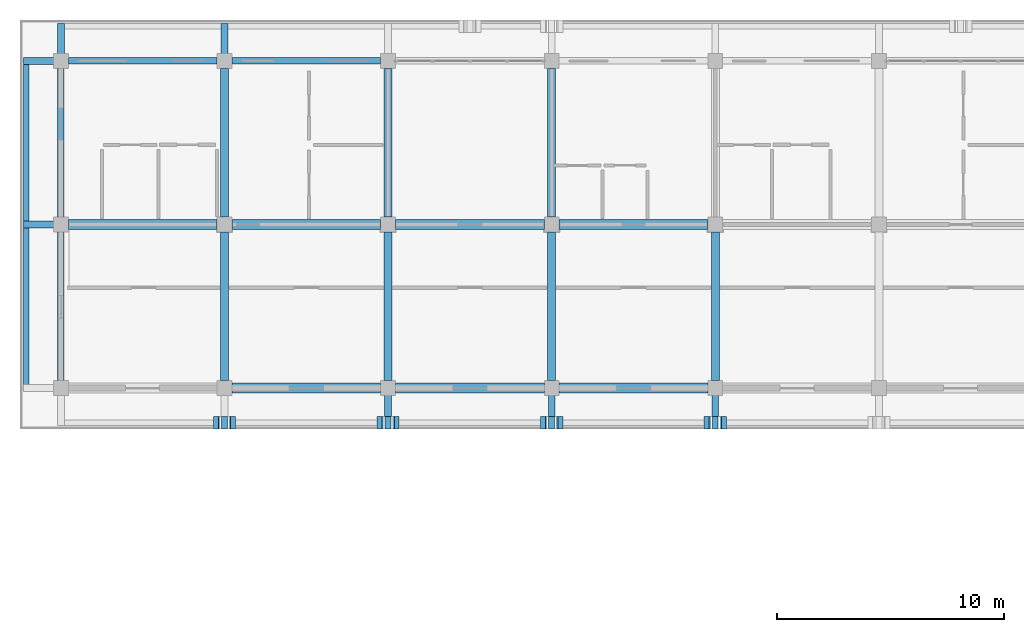
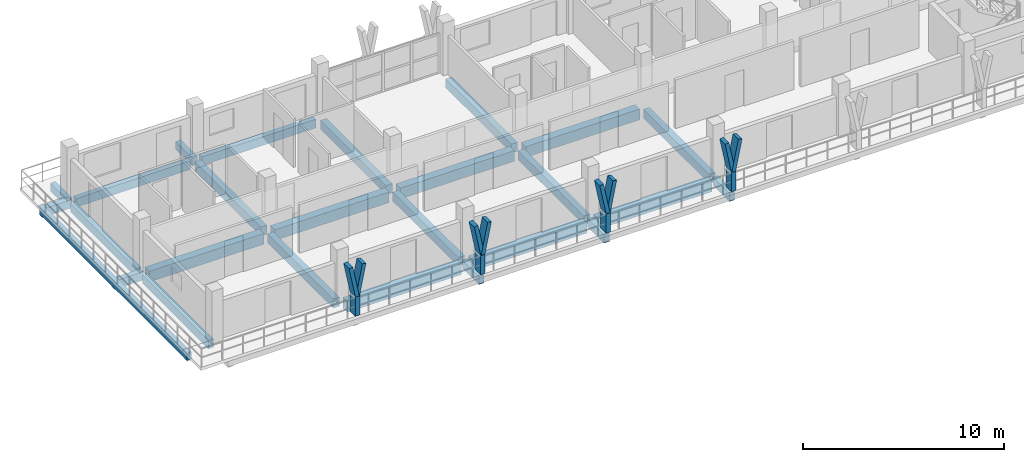
# One storey, part 11 of 78: 26 beams, 12 members.
"""IFC4 building model written with IfcOpenShell, lengths in metres."""

from ifc_helpers import new_model, si_unit, direction, frame, origin, origin_2d, place, context, subcontext, project, spatial, rectangle, extrude, material, material_profile, profile_set, type_object, element, save


model = new_model("IFC4")

# Units and contexts
model_context = context("Model", 3, precision=1e-05, world=origin(), true_north=direction((0.0, 1.0)))
body_context = subcontext(model_context, "Body", "Model", "MODEL_VIEW")
ifc_project = project(units=[si_unit("LENGTHUNIT", "METRE"), si_unit("AREAUNIT", "SQUARE_METRE"), si_unit("VOLUMEUNIT", "CUBIC_METRE"), si_unit("PLANEANGLEUNIT", "RADIAN"), si_unit("MASSUNIT", "GRAM", prefix="KILO")], contexts=[model_context])

# Site, building, storey
site_placement = place(None, origin())
site = spatial("IfcSite", under=ifc_project, at=site_placement, CompositionType="ELEMENT")
building_placement = place(site_placement, origin())
building = spatial("IfcBuilding", under=site, at=building_placement, Name="Suanplinth Sawtooth Commons", CompositionType="ELEMENT")
storey_placement = place(building_placement, frame((0.0, 0.0, 15.39990234375)))
storey = spatial("IfcBuildingStorey", under=building, at=storey_placement, Name="L04", CompositionType="ELEMENT", Elevation=15.39990234375)

# Beams
ifc_material_1 = material(Name="Precast concrete C40/50", Category="concrete")
ifc_material_profile_1 = material_profile(ifc_material_1, rectangle(XDim=0.449951171875, YDim=0.64990234375, at=origin_2d()), Name="PC-GDR 450x650")
ifc_profile_set_1 = profile_set([ifc_material_profile_1], Name="Precast concrete C40/50")
beam_type_1 = type_object("IfcBeamType", Name="B-04", PredefinedType="USERDEFINED", material=ifc_profile_set_1)
for number, where, z_axis, x_axis, name in (
    (1, (0.324951171875, 115.199951171875, -0.544921875), (1.0, 0.0, 0.0), (0.0, 1.0, 0.0), "BMX-L04-A-0-16"),
    (2, (7.52490234375, 108.0, -0.544921875), (1.0, 0.0, 0.0), (0.0, 1.0, 0.0), "BMX-L04-A-1-15"),
    (3, (7.52490234375, 115.199951171875, -0.544921875), (1.0, 0.0, 0.0), (0.0, 1.0, 0.0), "BMX-L04-A-1-16"),
):
    element("IfcBeam", number, at=place(storey_placement, frame(where, z_axis=z_axis, x_axis=x_axis)), inside=storey, type_object=beam_type_1, Name=name, ObjectType="GIRDER", PredefinedType="USERDEFINED", context=body_context, shape_type="SweptSolid", body=[
        extrude(rectangle(XDim=0.449951171875, YDim=0.64990234375, at=origin_2d()), origin(), (0.0, 0.0, 1.0), 6.550048828125),
    ])
for number, where, z_axis, x_axis, name in (
    (4, (14.72509765625, 108.0, -0.544921875), (1.0, 0.0, 0.0), (0.0, 1.0, 0.0), "BMX-L04-A-2-15"),
    (5, (14.72509765625, 115.199951171875, -0.544921875), (1.0, 0.0, 0.0), (0.0, 1.0, 0.0), "BMX-L04-A-2-16"),
):
    element("IfcBeam", number, at=place(storey_placement, frame(where, z_axis=z_axis, x_axis=x_axis)), inside=storey, type_object=beam_type_1, Name=name, ObjectType="GIRDER", PredefinedType="USERDEFINED", context=body_context, shape_type="SweptSolid", body=[
        extrude(rectangle(XDim=0.449951171875, YDim=0.64990234375, at=origin_2d()), origin(), (0.0, 0.0, 1.0), 6.5498046875),
    ])
for number, where, z_axis, x_axis, name in (
    (6, (21.925048828125, 108.0, -0.544921875), (1.0, 0.0, 0.0), (0.0, 1.0, 0.0), "BMX-L04-A-3-15"),
    (7, (21.925048828125, 115.199951171875, -0.544921875), (1.0, 0.0, 0.0), (0.0, 1.0, 0.0), "BMX-L04-A-3-16"),
):
    element("IfcBeam", number, at=place(storey_placement, frame(where, z_axis=z_axis, x_axis=x_axis)), inside=storey, type_object=beam_type_1, Name=name, ObjectType="GIRDER", PredefinedType="USERDEFINED", context=body_context, shape_type="SweptSolid", body=[
        extrude(rectangle(XDim=0.449951171875, YDim=0.64990234375, at=origin_2d()), origin(), (0.0, 0.0, 1.0), 6.550048828125),
    ])
ifc_material_profile_2 = material_profile(ifc_material_1, rectangle(XDim=0.35009765625, YDim=0.550048828125, at=origin_2d()), Name="PC-BM 350x550")
ifc_profile_set_2 = profile_set([ifc_material_profile_2], Name="Precast concrete C40/50")
beam_type_2 = type_object("IfcBeamType", Name="B-06", PredefinedType="BEAM", material=ifc_profile_set_2)
for number, where, z_axis, x_axis, name in (
    (8, (7.199951171875, 108.324951171875, -0.494873046875), (0.0, 1.0, 0.0), (-1.0, 0.0, 0.0), "BMY-L04-A-1-15"),
    (9, (7.199951171875, 115.52490234375, -0.494873046875), (0.0, 1.0, 0.0), (-1.0, 0.0, 0.0), "BMY-L04-A-1-16"),
    (10, (14.39990234375, 108.324951171875, -0.494873046875), (0.0, 1.0, 0.0), (-1.0, 0.0, 0.0), "BMY-L04-A-2-15"),
    (11, (14.39990234375, 115.52490234375, -0.494873046875), (0.0, 1.0, 0.0), (-1.0, 0.0, 0.0), "BMY-L04-A-2-16"),
    (12, (21.60009765625, 108.324951171875, -0.494873046875), (0.0, 1.0, 0.0), (-1.0, 0.0, 0.0), "BMY-L04-A-3-15"),
    (13, (21.60009765625, 115.52490234375, -0.494873046875), (0.0, 1.0, 0.0), (-1.0, 0.0, 0.0), "BMY-L04-A-3-16"),
    (14, (28.800048828125, 108.324951171875, -0.494873046875), (0.0, 1.0, 0.0), (-1.0, 0.0, 0.0), "BMY-L04-A-4-15"),
):
    element("IfcBeam", number, at=place(storey_placement, frame(where, z_axis=z_axis, x_axis=x_axis)), inside=storey, type_object=beam_type_2, Name=name, PredefinedType="BEAM", context=body_context, shape_type="SweptSolid", body=[
        extrude(rectangle(XDim=0.35009765625, YDim=0.550048828125, at=origin_2d()), origin(), (0.0, 0.0, 1.0), 6.550048828125),
    ])
ifc_material_profile_3 = material_profile(ifc_material_1, rectangle(XDim=0.300048828125, YDim=0.5, at=origin_2d()), Name="PC-BM 300x500")
ifc_profile_set_3 = profile_set([ifc_material_profile_3], Name="Precast concrete C40/50")
beam_type_3 = type_object("IfcBeamType", Name="B-07", PredefinedType="BEAM", material=ifc_profile_set_3)
for number, where, z_axis, x_axis, name in (
    (15, (0.0, 122.39990234375, -0.429931640625), (0.0, 1.0, 0.0), (-1.0, 0.0, 0.0), "Balcony Outrigger L04-A-N-0"),
    (16, (7.199951171875, 122.39990234375, -0.429931640625), (0.0, 1.0, 0.0), (-1.0, 0.0, 0.0), "Balcony Outrigger L04-A-N-1"),
):
    element("IfcBeam", number, at=place(storey_placement, frame(where, z_axis=z_axis, x_axis=x_axis)), inside=storey, type_object=beam_type_3, Name=name, PredefinedType="BEAM", context=body_context, shape_type="SweptSolid", body=[
        extrude(rectangle(XDim=0.300048828125, YDim=0.5, at=origin_2d()), origin(), (0.0, 0.0, 1.0), 1.64013671875),
    ])
for number, where, z_axis, x_axis, name in (
    (17, (14.39990234375, 108.0, -0.429931640625), (0.0, -1.0, 0.0), (1.0, 0.0, 0.0), "Balcony Outrigger L04-A-S-2"),
    (18, (21.60009765625, 108.0, -0.429931640625), (0.0, -1.0, 0.0), (1.0, 0.0, 0.0), "Balcony Outrigger L04-A-S-3"),
    (19, (28.800048828125, 108.0, -0.429931640625), (0.0, -1.0, 0.0), (1.0, 0.0, 0.0), "Balcony Outrigger L04-A-S-4"),
    (20, (0.0, 115.199951171875, -0.429931640625), (-1.0, 0.0, 0.0), (0.0, -1.0, 0.0), "Balcony Outrigger L04-A-W-16"),
    (21, (0.0, 122.39990234375, -0.429931640625), (-1.0, 0.0, 0.0), (0.0, -1.0, 0.0), "Balcony Outrigger L04-A-W-17"),
):
    element("IfcBeam", number, at=place(storey_placement, frame(where, z_axis=z_axis, x_axis=x_axis)), inside=storey, type_object=beam_type_3, Name=name, PredefinedType="BEAM", context=body_context, shape_type="SweptSolid", body=[
        extrude(rectangle(XDim=0.300048828125, YDim=0.5, at=origin_2d()), origin(), (0.0, 0.0, 1.0), 1.639892578125),
    ])
ifc_material_profile_4 = material_profile(ifc_material_1, rectangle(XDim=0.280029296875, YDim=0.52001953125, at=origin_2d()), Name="PC-SP 280x520")
ifc_profile_set_4 = profile_set([ifc_material_profile_4], Name="Precast concrete C40/50")
beam_type_4 = type_object("IfcBeamType", Name="B-08", PredefinedType="SPANDREL", material=ifc_profile_set_4)
for number, where, z_axis, x_axis, name in (
    (22, (0.324951171875, 122.39990234375, -0.47998046875), (1.0, 0.0, 0.0), (0.0, 1.0, 0.0), "BMX-L04-A-0-17"),
    (23, (7.52490234375, 122.39990234375, -0.47998046875), (1.0, 0.0, 0.0), (0.0, 1.0, 0.0), "BMX-L04-A-1-17"),
    (24, (0.0, 108.324951171875, -0.47998046875), (0.0, 1.0, 0.0), (-1.0, 0.0, 0.0), "BMY-L04-A-0-15"),
    (25, (0.0, 115.52490234375, -0.47998046875), (0.0, 1.0, 0.0), (-1.0, 0.0, 0.0), "BMY-L04-A-0-16"),
):
    element("IfcBeam", number, at=place(storey_placement, frame(where, z_axis=z_axis, x_axis=x_axis)), inside=storey, type_object=beam_type_4, Name=name, PredefinedType="SPANDREL", context=body_context, shape_type="SweptSolid", body=[
        extrude(rectangle(XDim=0.280029296875, YDim=0.52001953125, at=origin_2d()), origin(), (0.0, 0.0, 1.0), 6.550048828125),
    ])
ifc_material_profile_5 = material_profile(ifc_material_1, rectangle(XDim=0.25, YDim=0.449951171875, at=origin_2d()), Name="PC-SP 250x450")
ifc_profile_set_5 = profile_set([ifc_material_profile_5], Name="Precast concrete C40/50")
beam_type_5 = type_object("IfcBeamType", Name="B-09", PredefinedType="SPANDREL", material=ifc_profile_set_5)
beam_placement = place(storey_placement, frame((-1.52001953125, 107.85009765625, -0.40478515625), z_axis=(0.0, 1.0, 0.0), x_axis=(-1.0, 0.0, 0.0)))
element("IfcBeam", 26, at=beam_placement, inside=storey, type_object=beam_type_5, Name="Balcony Edge Fascia L04-A-W", PredefinedType="SPANDREL", context=body_context, shape_type="SweptSolid", body=[
    extrude(rectangle(XDim=0.25, YDim=0.449951171875, at=origin_2d()), origin(), (0.0, 0.0, 1.0), 14.699951171875),
])

# Members
ifc_material_2 = material(Name="Pigmented precast concrete C40/50", Category="concrete")
ifc_material_profile_6 = material_profile(ifc_material_2, rectangle(XDim=0.260009765625, YDim=0.550048828125, at=origin_2d()), Name="PC-FIN 260x550")
ifc_profile_set_6 = profile_set([ifc_material_profile_6], Name="Pigmented precast concrete C40/50")
member_type_1 = type_object("IfcMemberType", Name="M-09", PredefinedType="USERDEFINED", material=ifc_profile_set_6)
for number, where, z_axis, x_axis, name in (
    (27, (7.199951171875, 106.47998046875, 0.0), (0.0, 0.0, 1.0), (1.0, 0.0, 0.0), "Y-Blade Stem L04-A-S-09"),
    (28, (14.39990234375, 106.47998046875, 0.0), (0.0, 0.0, 1.0), (1.0, 0.0, 0.0), "Y-Blade Stem L04-A-S-10"),
    (29, (21.60009765625, 106.47998046875, 0.0), (0.0, 0.0, 1.0), (1.0, 0.0, 0.0), "Y-Blade Stem L04-A-S-11"),
    (30, (28.800048828125, 106.47998046875, 0.0), (0.0, 0.0, 1.0), (1.0, 0.0, 0.0), "Y-Blade Stem L04-A-S-12"),
):
    element("IfcMember", number, at=place(storey_placement, frame(where, z_axis=z_axis, x_axis=x_axis)), inside=storey, type_object=member_type_1, Name=name, ObjectType="SHADING FIN", PredefinedType="USERDEFINED", context=body_context, shape_type="SweptSolid", body=[
        extrude(rectangle(XDim=0.260009765625, YDim=0.550048828125, at=origin_2d()), origin(), (0.0, 0.0, 1.0), 1.170166015625),
    ])
ifc_material_profile_7 = material_profile(ifc_material_2, rectangle(XDim=0.219970703125, YDim=0.550048828125, at=origin_2d()), Name="PC-FIN 220x550")
ifc_profile_set_7 = profile_set([ifc_material_profile_7], Name="Pigmented precast concrete C40/50")
member_type_2 = type_object("IfcMemberType", Name="M-10", PredefinedType="USERDEFINED", material=ifc_profile_set_7)
member_1_placement = place(storey_placement, frame((7.199951171875, 106.47998046875, 1.130126953125), z_axis=(-0.196309979414, 0.0, 0.980541886909), x_axis=(0.980541886909, 0.0, 0.196309979414)))
element("IfcMember", 31, at=member_1_placement, inside=storey, type_object=member_type_2, Name="Y-Blade Arm L L04-A-S-09", ObjectType="SHADING FIN", PredefinedType="USERDEFINED", context=body_context, shape_type="SweptSolid", body=[
    extrude(rectangle(XDim=0.219970703125, YDim=0.550048828125, at=origin_2d()), origin(), (0.0, 0.0, 1.0), 1.9375),
])
member_2_placement = place(storey_placement, frame((7.199951171875, 106.47998046875, 1.130126953125), z_axis=(0.196431120402, 0.0, 0.980517626021), x_axis=(-0.980517626021, 0.0, 0.196431120402)))
element("IfcMember", 32, at=member_2_placement, inside=storey, type_object=member_type_2, Name="Y-Blade Arm R L04-A-S-09", ObjectType="SHADING FIN", PredefinedType="USERDEFINED", context=body_context, shape_type="SweptSolid", body=[
    extrude(rectangle(XDim=0.219970703125, YDim=0.550048828125, at=origin_2d()), origin(), (0.0, 0.0, 1.0), 1.937744140625),
])
member_3_placement = place(storey_placement, frame((14.39990234375, 106.47998046875, 1.130126953125), z_axis=(-0.196309979414, 0.0, 0.980541886909), x_axis=(0.980541886909, 0.0, 0.196309979414)))
element("IfcMember", 33, at=member_3_placement, inside=storey, type_object=member_type_2, Name="Y-Blade Arm L L04-A-S-10", ObjectType="SHADING FIN", PredefinedType="USERDEFINED", context=body_context, shape_type="SweptSolid", body=[
    extrude(rectangle(XDim=0.219970703125, YDim=0.550048828125, at=origin_2d()), origin(), (0.0, 0.0, 1.0), 1.9375),
])
for number, where, z_axis, x_axis, name in (
    (34, (14.39990234375, 106.47998046875, 1.130126953125), (0.196431120402, 0.0, 0.980517626021), (-0.980517626021, 0.0, 0.196431120402), "Y-Blade Arm R L04-A-S-10"),
    (35, (21.60009765625, 106.47998046875, 1.130126953125), (-0.196431120402, 0.0, 0.980517626021), (0.980517626021, 0.0, 0.196431120402), "Y-Blade Arm L L04-A-S-11"),
):
    element("IfcMember", number, at=place(storey_placement, frame(where, z_axis=z_axis, x_axis=x_axis)), inside=storey, type_object=member_type_2, Name=name, ObjectType="SHADING FIN", PredefinedType="USERDEFINED", context=body_context, shape_type="SweptSolid", body=[
        extrude(rectangle(XDim=0.219970703125, YDim=0.550048828125, at=origin_2d()), origin(), (0.0, 0.0, 1.0), 1.937744140625),
    ])
member_4_placement = place(storey_placement, frame((21.60009765625, 106.47998046875, 1.130126953125), z_axis=(0.196309979414, 0.0, 0.980541886909), x_axis=(-0.980541886909, 0.0, 0.196309979414)))
element("IfcMember", 36, at=member_4_placement, inside=storey, type_object=member_type_2, Name="Y-Blade Arm R L04-A-S-11", ObjectType="SHADING FIN", PredefinedType="USERDEFINED", context=body_context, shape_type="SweptSolid", body=[
    extrude(rectangle(XDim=0.219970703125, YDim=0.550048828125, at=origin_2d()), origin(), (0.0, 0.0, 1.0), 1.9375),
])
member_5_placement = place(storey_placement, frame((28.800048828125, 106.47998046875, 1.130126953125), z_axis=(-0.196431120402, 0.0, 0.980517626021), x_axis=(0.980517626021, 0.0, 0.196431120402)))
element("IfcMember", 37, at=member_5_placement, inside=storey, type_object=member_type_2, Name="Y-Blade Arm L L04-A-S-12", ObjectType="SHADING FIN", PredefinedType="USERDEFINED", context=body_context, shape_type="SweptSolid", body=[
    extrude(rectangle(XDim=0.219970703125, YDim=0.550048828125, at=origin_2d()), origin(), (0.0, 0.0, 1.0), 1.937744140625),
])
member_6_placement = place(storey_placement, frame((28.800048828125, 106.47998046875, 1.130126953125), z_axis=(0.196309979414, 0.0, 0.980541886909), x_axis=(-0.980541886909, 0.0, 0.196309979414)))
element("IfcMember", 38, at=member_6_placement, inside=storey, type_object=member_type_2, Name="Y-Blade Arm R L04-A-S-12", ObjectType="SHADING FIN", PredefinedType="USERDEFINED", context=body_context, shape_type="SweptSolid", body=[
    extrude(rectangle(XDim=0.219970703125, YDim=0.550048828125, at=origin_2d()), origin(), (0.0, 0.0, 1.0), 1.9375),
])

save(model, "model.ifc")
